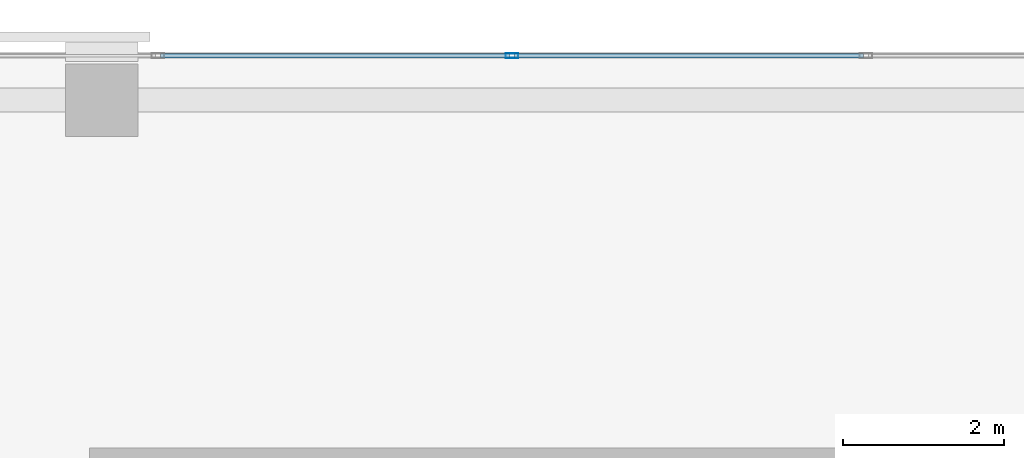
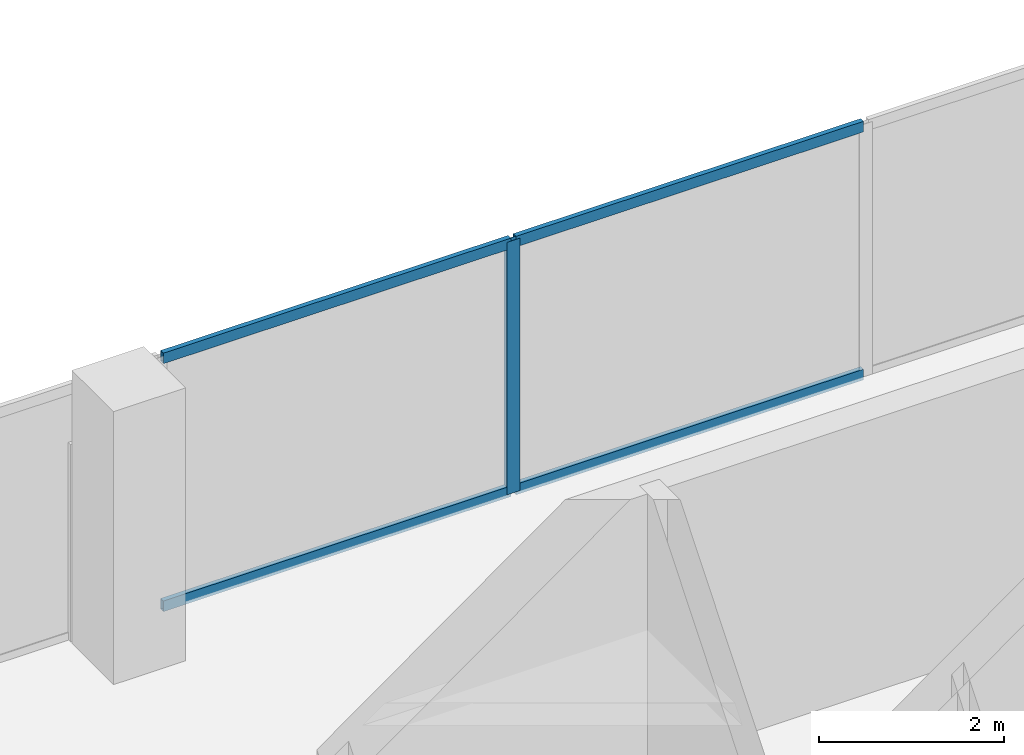
# One storey, part 20 of 35: 5 members, 1 element without a shape of its own.
"""IFC4 building model written with IfcOpenShell, lengths in metres."""

from ifc_helpers import new_model, si_unit, direction, frame, origin, origin_2d, place, context, subcontext, project, spatial, hollow_rectangle, extrude, material, layer, layer_set, material_profile, profile_set, type_object, element, aggregate, save


model = new_model("IFC4")

# Units and contexts
model_context = context("Model", 3, precision=1e-05, world=origin(), true_north=direction((0.0, 1.0)))
body_context = subcontext(model_context, "Body", "Model", "MODEL_VIEW")
ifc_project = project(units=[si_unit("LENGTHUNIT", "METRE"), si_unit("AREAUNIT", "SQUARE_METRE"), si_unit("VOLUMEUNIT", "CUBIC_METRE"), si_unit("PLANEANGLEUNIT", "RADIAN"), si_unit("MASSUNIT", "GRAM", prefix="KILO")], contexts=[model_context])

# Site, building, storey
site_placement = place(None, origin())
site = spatial("IfcSite", under=ifc_project, at=site_placement, CompositionType="ELEMENT")
building_placement = place(site_placement, origin())
building = spatial("IfcBuilding", under=site, at=building_placement, Name="Catumbela Crestline Tower", CompositionType="ELEMENT")
storey_placement = place(building_placement, frame((0.0, 0.0, 90.0)))
storey = spatial("IfcBuildingStorey", under=building, at=storey_placement, Name="L22", CompositionType="ELEMENT", Elevation=90.0)

# Curtain wall, members
ifc_material = material(Name="Aluminium alloy AW-6060-T66", Category="aluminium")
ifc_layer = layer(ifc_material, 0.18, Name="Aluminium alloy AW-6060-T66")
ifc_layer_set = layer_set([ifc_layer], Name="Aluminium alloy AW-6060-T66")
curtain_wall_type = type_object("IfcCurtainWallType", Name="CWU-Z2", PredefinedType="USERDEFINED", material=ifc_layer_set)
curtain_wall_placement = place(storey_placement, origin())
curtain_wall = element("IfcCurtainWall", 1, at=curtain_wall_placement, inside=storey, type_object=curtain_wall_type, Name="L22 Unitised Curtain Wall CW-L22-E7S1", ObjectType="UNITISED", PredefinedType="USERDEFINED")
ifc_material_profile_1 = material_profile(ifc_material, hollow_rectangle(XDim=0.06, YDim=0.16, WallThickness=0.004, at=origin_2d()), Name="ALU 160x60x4")
ifc_profile_set_1 = profile_set([ifc_material_profile_1], Name="Aluminium alloy AW-6060-T66")
member_type_1 = type_object("IfcMemberType", Name="MUL-160X60", PredefinedType="MULLION", material=ifc_profile_set_1)
member_1_placement = place(storey_placement, frame((21.1, 47.95, 0.0), z_axis=(0.0, 0.0, 1.0), x_axis=(0.0, -1.0, 0.0)))
member_1 = element("IfcMember", 2, at=member_1_placement, type_object=member_type_1, Name="CWU-Z2 mullion 7", PredefinedType="MULLION", context=body_context, shape_type="SweptSolid", body=[
    extrude(hollow_rectangle(XDim=0.06, YDim=0.16, WallThickness=0.004, at=origin_2d()), origin(), (0.0, 0.0, 1.0), 3.33),
])
ifc_material_profile_2 = material_profile(ifc_material, hollow_rectangle(XDim=0.06, YDim=0.14, WallThickness=0.004, at=origin_2d()), Name="ALU 140x60x4")
ifc_profile_set_2 = profile_set([ifc_material_profile_2], Name="Aluminium alloy AW-6060-T66")
member_type_2 = type_object("IfcMemberType", Name="TRN-140X60", PredefinedType="USERDEFINED", material=ifc_profile_set_2)
member_2_placement = place(storey_placement, frame((25.4675, 47.95, 0.03), z_axis=(-1.0, 0.0, 0.0), x_axis=(0.0, -1.0, 0.0)))
member_2 = element("IfcMember", 3, at=member_2_placement, type_object=member_type_2, Name="CWU-Z2 transom 6.1", ObjectType="TRANSOM", PredefinedType="USERDEFINED", context=body_context, shape_type="SweptSolid", body=[
    extrude(hollow_rectangle(XDim=0.06, YDim=0.14, WallThickness=0.004, at=origin_2d()), origin(), (0.0, 0.0, 1.0), 4.335),
])
member_3_placement = place(storey_placement, frame((25.4675, 47.95, 3.3), z_axis=(-1.0, 0.0, 0.0), x_axis=(0.0, -1.0, 0.0)))
member_3 = element("IfcMember", 4, at=member_3_placement, type_object=member_type_2, Name="CWU-Z2 transom 6.2", ObjectType="TRANSOM", PredefinedType="USERDEFINED", context=body_context, shape_type="SweptSolid", body=[
    extrude(hollow_rectangle(XDim=0.06, YDim=0.14, WallThickness=0.004, at=origin_2d()), origin(), (0.0, 0.0, 1.0), 4.335),
])
member_4_placement = place(storey_placement, frame((21.0675, 47.95, 0.03), z_axis=(-1.0, 0.0, 0.0), x_axis=(0.0, -1.0, 0.0)))
member_4 = element("IfcMember", 5, at=member_4_placement, type_object=member_type_2, Name="CWU-Z2 transom 7.1", ObjectType="TRANSOM", PredefinedType="USERDEFINED", context=body_context, shape_type="SweptSolid", body=[
    extrude(hollow_rectangle(XDim=0.06, YDim=0.14, WallThickness=0.004, at=origin_2d()), origin(), (0.0, 0.0, 1.0), 4.335),
])
member_5_placement = place(storey_placement, frame((21.0675, 47.95, 3.3), z_axis=(-1.0, 0.0, 0.0), x_axis=(0.0, -1.0, 0.0)))
member_5 = element("IfcMember", 6, at=member_5_placement, type_object=member_type_2, Name="CWU-Z2 transom 7.2", ObjectType="TRANSOM", PredefinedType="USERDEFINED", context=body_context, shape_type="SweptSolid", body=[
    extrude(hollow_rectangle(XDim=0.06, YDim=0.14, WallThickness=0.004, at=origin_2d()), origin(), (0.0, 0.0, 1.0), 4.335),
])
aggregate(curtain_wall, [member_1, member_2, member_3, member_4, member_5])

save(model, "model.ifc")
